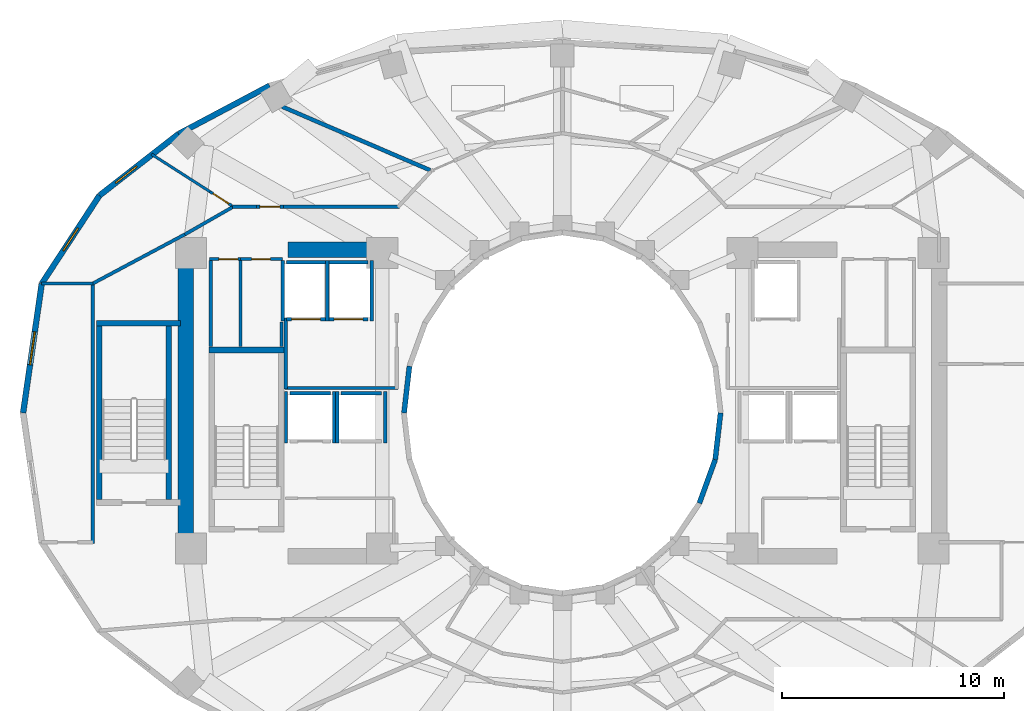
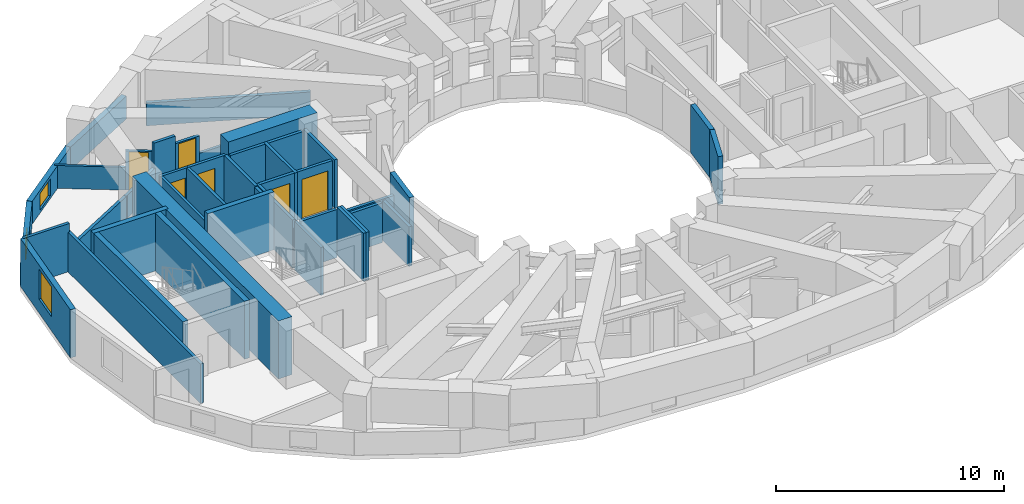
# One storey, part 4 of 9: 43 walls, 6 doors, 3 windows, 9 openings.
"""IFC4 building model written with IfcOpenShell, lengths in metres."""

from ifc_helpers import new_model, si_unit, direction, frame, frame_2d, origin, place, context, subcontext, project, spatial, rectangle, extrude, material, layer, layer_set, type_object, element, fill, save


model = new_model("IFC4")

# Units and contexts
model_context = context("Model", 3, precision=1e-05, world=origin(), true_north=direction((0.0, 1.0)))
body_context = subcontext(model_context, "Body", "Model", "MODEL_VIEW")
ifc_project = project(units=[si_unit("LENGTHUNIT", "METRE"), si_unit("AREAUNIT", "SQUARE_METRE"), si_unit("VOLUMEUNIT", "CUBIC_METRE"), si_unit("PLANEANGLEUNIT", "RADIAN"), si_unit("MASSUNIT", "GRAM", prefix="KILO")], contexts=[model_context])

# Site, building, storey
site_placement = place(None, origin())
site = spatial("IfcSite", under=ifc_project, at=site_placement, CompositionType="ELEMENT")
building_placement = place(site_placement, origin())
building = spatial("IfcBuilding", under=site, at=building_placement, Name="Solvane Sanctuary Tower", CompositionType="ELEMENT")
storey_placement = place(building_placement, frame((0.0, 0.0, 125.89990234375)))
storey = spatial("IfcBuildingStorey", under=building, at=storey_placement, Name="L38", CompositionType="ELEMENT", Elevation=125.89990234375)

# Walls
ifc_material_1 = material(Name="Concrete C60/75", Category="concrete")
ifc_layer_1 = layer(ifc_material_1, 0.699951171875, Name="Concrete C60/75")
ifc_layer_set_1 = layer_set([ifc_layer_1], Name="Concrete C60/75")
wall_type_1 = type_object("IfcWallType", Name="Wall W-CORE-700", PredefinedType="SHEAR", material=ifc_layer_set_1)
wall_1_placement = place(storey_placement, frame((15.050048828125, 17.050048828125, 0.0), z_axis=(0.0, 0.0, 1.0), x_axis=(0.0, 1.0, 0.0)))
element("IfcWall", 1, at=wall_1_placement, inside=storey, type_object=wall_type_1, Name="L38 Core Shear Wall WC-W", PredefinedType="SHEAR", context=body_context, shape_type="SweptSolid", body=[
    extrude(rectangle(XDim=12.800048828125, YDim=0.699951171875, at=frame_2d((6.39990234375, 0.0))), origin(), (0.0, 0.0, 1.0), 3.10009765625),
])
wall_2_placement = place(storey_placement, frame((19.64990234375, 30.35009765625, 0.0), z_axis=(0.0, 0.0, 1.0), x_axis=(1.0, 0.0, 0.0)))
element("IfcWall", 2, at=wall_2_placement, inside=storey, type_object=wall_type_1, Name="L38 Core Shear Wall WC-N", PredefinedType="SHEAR", context=body_context, shape_type="SweptSolid", body=[
    extrude(rectangle(XDim=4.5, YDim=0.699951171875, at=frame_2d((2.25, 0.0))), origin(), (0.0, 0.0, 1.0), 3.10009765625),
])
ifc_material_2 = material(Name="Acoustic Gypsum Partition Board")
ifc_layer_2 = layer(ifc_material_2, 0.14990234375, Name="Acoustic Gypsum Partition Board")
ifc_layer_set_2 = layer_set([ifc_layer_2], Name="Acoustic Gypsum Partition Board")
wall_type_2 = type_object("IfcWallType", Name="Wall W-CORR-150", PredefinedType="PARTITIONING", material=ifc_layer_set_2)
wall_3_placement = place(storey_placement, frame((19.52001953125, 24.1201171875, 0.0), z_axis=(0.0, 0.0, 1.0), x_axis=(1.0, 0.0, 0.0)))
element("IfcWall", 3, at=wall_3_placement, inside=storey, type_object=wall_type_2, Name="L38 West Firefighting Lobby South Wall", PredefinedType="PARTITIONING", context=body_context, shape_type="SweptSolid", body=[
    extrude(rectangle(XDim=5.080078125, YDim=0.14990234375, at=frame_2d((2.5400390625, 0.0))), origin(), (0.0, 0.0, 1.0), 2.1201171875),
])
wall_4_placement = place(storey_placement, frame((19.550048828125, 24.080078125, 0.0), z_axis=(0.0, 0.0, 1.0), x_axis=(0.0, 1.0, 0.0)))
element("IfcWall", 4, at=wall_4_placement, inside=storey, type_object=wall_type_2, Name="L38 West Firefighting Lobby West Wall", PredefinedType="PARTITIONING", context=body_context, shape_type="SweptSolid", body=[
    extrude(rectangle(XDim=3.199951171875, YDim=0.14990234375, at=frame_2d((1.60009765625, 0.0))), origin(), (0.0, 0.0, 1.0), 2.5751953125),
])
wall_5_placement = place(storey_placement, frame((10.8798828125, 17.134765625, 0.0), z_axis=(0.0, 0.0, 1.0), x_axis=(0.0, 1.0, 0.0)))
element("IfcWall", 5, at=wall_5_placement, inside=storey, type_object=wall_type_2, Name="L38 West Shoulder Back Wall", PredefinedType="PARTITIONING", context=body_context, shape_type="SweptSolid", body=[
    extrude(rectangle(XDim=11.73046875, YDim=0.14990234375, at=frame_2d((5.865234375, 0.0))), origin(), (0.0, 0.0, 1.0), 2.1201171875),
])
wall_6_placement = place(storey_placement, frame((8.558349609375, 28.8251953125, 0.0), z_axis=(0.0, 0.0, 1.0), x_axis=(1.0, 0.0, 0.0)))
element("IfcWall", 6, at=wall_6_placement, inside=storey, type_object=wall_type_2, Name="L38 West Shoulder North Wall", PredefinedType="PARTITIONING", context=body_context, shape_type="SweptSolid", body=[
    extrude(rectangle(XDim=2.321533203125, YDim=0.14990234375, at=frame_2d((1.16064453125, 0.0))), origin(), (0.0, 0.0, 1.0), 2.5751953125),
])
wall_7_placement = place(storey_placement, frame((10.8447265625, 28.806396484375, 0.0), z_axis=(0.0, 0.0, 1.0), x_axis=(0.88227840565, 0.470727962759, 0.0)))
element("IfcWall", 7, at=wall_7_placement, inside=storey, type_object=wall_type_2, Name="L38 NW Corner Closer 1", PredefinedType="PARTITIONING", context=body_context, shape_type="SweptSolid", body=[
    extrude(rectangle(XDim=4.806396484375, YDim=0.14990234375, at=frame_2d((2.4033203125, 0.0))), origin(), (0.0, 0.0, 1.0), 1.22021484375),
])
wall_8_placement = place(storey_placement, frame((17.14990234375, 32.280029296875, 0.0), z_axis=(0.0, 0.0, 1.0), x_axis=(1.0, 0.0, 0.0)))
element("IfcWall", 8, at=wall_8_placement, inside=storey, type_object=wall_type_2, Name="L38 NW Corner Corridor Wall", PredefinedType="PARTITIONING", context=body_context, shape_type="SweptSolid", body=[
    extrude(rectangle(XDim=1.08251953125, YDim=0.14990234375, at=frame_2d((0.541259765625, 0.0))), origin(), (0.0, 0.0, 1.0), 2.5751953125),
])

# Wall, opening, door
wall_9_placement = place(storey_placement, frame((18.232421875, 32.280029296875, 0.0), z_axis=(0.0, 0.0, 1.0), x_axis=(1.0, 0.0, 0.0)))
wall_9 = element("IfcWall", 9, at=wall_9_placement, inside=storey, type_object=wall_type_2, Name="L38 NW Corner Corridor Wall", PredefinedType="PARTITIONING", context=body_context, shape_type="SweptSolid", body=[
    extrude(rectangle(XDim=1.219970703125, YDim=0.14990234375, at=frame_2d((0.60986328125, 0.0))), origin(), (0.0, 0.0, 1.0), 2.16015625),
])
opening_1_placement = place(wall_9_placement, frame((0.159912109375, 0.0, 0.0)))
opening_1 = element("IfcOpeningElement", 10, at=opening_1_placement, cuts=wall_9, Name="Opening D-L38-18", PredefinedType="OPENING", context=body_context, shape_type="SweptSolid", body=[
    extrude(rectangle(XDim=0.89990234375, YDim=2.10009765625, at=frame_2d((0.449951171875, 1.050048828125))), frame((0.0, 0.0849609375, 0.0), z_axis=(0.0, -1.0, 0.0), x_axis=(1.0, 0.0, 0.0)), (0.0, 0.0, 1.0), 0.169921875),
])
ifc_material_3 = material(Name="Engineered Tropical Hardwood", Category="wood")
door_type_1 = type_object("IfcDoorType", Name="Door D-WET-900", OperationType="NOTDEFINED", PredefinedType="DOOR", material=ifc_material_3)
door_1_placement = place(opening_1_placement, origin())
door_1 = element("IfcDoor", 11, at=door_1_placement, inside=storey, type_object=door_type_1, Name="L38 NW Corner Salon Door", OperationType="SINGLE_SWING_RIGHT", OverallHeight=2.10009765625, OverallWidth=0.89990234375, PredefinedType="DOOR", context=body_context, shape_type="SweptSolid", body=[
    extrude(rectangle(XDim=0.89990234375, YDim=2.10009765625, at=frame_2d((0.449951171875, 1.050048828125))), frame((0.0, 0.02490234375, 0.0), z_axis=(0.0, -1.0, 0.0), x_axis=(1.0, 0.0, 0.0)), (0.0, 0.0, 1.0), 0.050048828125),
])
fill(opening_1, door_1)

# Walls
wall_10_placement = place(storey_placement, frame((19.452392578125, 32.280029296875, 0.0), z_axis=(0.0, 0.0, 1.0), x_axis=(1.0, 0.0, 0.0)))
element("IfcWall", 12, at=wall_10_placement, inside=storey, type_object=wall_type_2, Name="L38 NW Corner Corridor Wall", PredefinedType="PARTITIONING", context=body_context, shape_type="SweptSolid", body=[
    extrude(rectangle(XDim=5.217529296875, YDim=0.14990234375, at=frame_2d((2.60888671875, 0.0))), origin(), (0.0, 0.0, 1.0), 1.22021484375),
])
wall_11_placement = place(storey_placement, frame((17.243408203125, 32.3046875, 0.0), z_axis=(0.0, 0.0, 1.0), x_axis=(-0.867991349648, -0.496579315857, 0.0)))
element("IfcWall", 13, at=wall_11_placement, inside=storey, type_object=wall_type_2, Name="L38 NW Corner Wing Wall", PredefinedType="PARTITIONING", context=body_context, shape_type="SweptSolid", body=[
    extrude(rectangle(XDim=2.56689453125, YDim=0.14990234375, at=frame_2d((1.283447265625, 0.0))), origin(), (0.0, 0.0, 1.0), 1.22021484375),
])
ifc_material_4 = material(Name="Precast concrete C40/50", Category="concrete")
ifc_layer_3 = layer(ifc_material_4, 0.260009765625, Name="Precast concrete C40/50")
ifc_layer_set_3 = layer_set([ifc_layer_3], Name="Precast concrete C40/50")
wall_type_3 = type_object("IfcWallType", Name="Wall W-EXT-250", PredefinedType="STANDARD", material=ifc_layer_set_3)
wall_12_placement = place(storey_placement, frame((18.82666015625, 37.72119140625, 0.0), z_axis=(0.0, 0.0, 1.0), x_axis=(-0.883668636807, -0.4681129568, 0.0)))
element("IfcWall", 14, at=wall_12_placement, inside=storey, type_object=wall_type_3, Name="L38 Ceramic-Printed Facade Wall 08", PredefinedType="STANDARD", context=body_context, shape_type="SweptSolid", body=[
    extrude(rectangle(XDim=4.63134765625, YDim=0.260009765625, at=frame_2d((2.315673828125, 0.0))), origin(), (0.0, 0.0, 1.0), 1.22021484375),
])

# Wall, opening, window
wall_13_placement = place(storey_placement, frame((14.734130859375, 35.55322265625, 0.0), z_axis=(0.0, 0.0, 1.0), x_axis=(-0.789127449954, -0.614229491094, 0.0)))
wall_13 = element("IfcWall", 15, at=wall_13_placement, inside=storey, type_object=wall_type_3, Name="L38 Ceramic-Printed Facade Wall 09", PredefinedType="STANDARD", context=body_context, shape_type="SweptSolid", body=[
    extrude(rectangle(XDim=4.504638671875, YDim=0.260009765625, at=frame_2d((2.25244140625, 0.0))), origin(), (0.0, 0.0, 1.0), 1.22021484375),
])
opening_2_placement = place(wall_13_placement, frame((2.383056640625, 0.0, 0.14990234375)))
opening_2 = element("IfcOpeningElement", 16, at=opening_2_placement, cuts=wall_13, Name="Opening WN-OPER-1200", PredefinedType="OPENING", context=body_context, shape_type="SweptSolid", body=[
    extrude(rectangle(XDim=1.199951171875, YDim=0.89990234375, at=frame_2d((0.60009765625, 0.449951171875))), frame((0.0, 0.139892578125, 0.0), z_axis=(0.0, -1.0, 0.0), x_axis=(1.0, 0.0, 0.0)), (0.0, 0.0, 1.0), 0.280029296875),
])
ifc_material_5 = material(Name="Dark Ceramic-Fritted Low-E Glass", Category="glass")
window_type_1 = type_object("IfcWindowType", Name="Window WN-OPER-1200", PartitioningType="SINGLE_PANEL", PredefinedType="WINDOW", material=ifc_material_5)
window_1_placement = place(opening_2_placement, origin())
window_1 = element("IfcWindow", 17, at=window_1_placement, inside=storey, type_object=window_type_1, Name="L38 Operable Facade Window 09", OverallHeight=0.89990234375, OverallWidth=1.199951171875, PartitioningType="SINGLE_PANEL", PredefinedType="WINDOW", context=body_context, shape_type="SweptSolid", body=[
    extrude(rectangle(XDim=1.199951171875, YDim=0.89990234375, at=frame_2d((0.60009765625, 0.449951171875))), frame((0.0, 0.030029296875, 0.0), z_axis=(0.0, -1.0, 0.0), x_axis=(1.0, 0.0, 0.0)), (0.0, 0.0, 1.0), 0.06005859375),
])
fill(opening_2, window_1)

wall_14_placement = place(storey_placement, frame((11.179443359375, 32.786376953125, 0.0), z_axis=(0.0, 0.0, 1.0), x_axis=(-0.548283220945, -0.836292717672, 0.0)))
wall_14 = element("IfcWall", 18, at=wall_14_placement, inside=storey, type_object=wall_type_3, Name="L38 Ceramic-Printed Facade Wall 10", PredefinedType="STANDARD", context=body_context, shape_type="SweptSolid", body=[
    extrude(rectangle(XDim=4.744384765625, YDim=0.260009765625, at=frame_2d((2.3720703125, 0.0))), origin(), (0.0, 0.0, 1.0), 1.22021484375),
])
opening_3_placement = place(wall_14_placement, frame((1.772216796875, 0.0, 0.14990234375)))
opening_3 = element("IfcOpeningElement", 19, at=opening_3_placement, cuts=wall_14, Name="Opening WN-OPER-1200", PredefinedType="OPENING", context=body_context, shape_type="SweptSolid", body=[
    extrude(rectangle(XDim=1.199951171875, YDim=0.89990234375, at=frame_2d((0.60009765625, 0.449951171875))), frame((0.0, 0.139892578125, 0.0), z_axis=(0.0, -1.0, 0.0), x_axis=(1.0, 0.0, 0.0)), (0.0, 0.0, 1.0), 0.280029296875),
])
window_2_placement = place(opening_3_placement, origin())
window_2 = element("IfcWindow", 20, at=window_2_placement, inside=storey, type_object=window_type_1, Name="L38 Operable Facade Window 10", OverallHeight=0.89990234375, OverallWidth=1.199951171875, PartitioningType="SINGLE_PANEL", PredefinedType="WINDOW", context=body_context, shape_type="SweptSolid", body=[
    extrude(rectangle(XDim=1.199951171875, YDim=0.89990234375, at=frame_2d((0.60009765625, 0.449951171875))), frame((0.0, 0.030029296875, 0.0), z_axis=(0.0, -1.0, 0.0), x_axis=(1.0, 0.0, 0.0)), (0.0, 0.0, 1.0), 0.06005859375),
])
fill(opening_3, window_2)

wall_15_placement = place(storey_placement, frame((8.578125, 28.818603515625, 0.0), z_axis=(0.0, 0.0, 1.0), x_axis=(-0.142572472068, -0.98978436551, 0.0)))
wall_15 = element("IfcWall", 21, at=wall_15_placement, inside=storey, type_object=wall_type_3, Name="L38 Ceramic-Printed Facade Wall 11", PredefinedType="STANDARD", context=body_context, shape_type="SweptSolid", body=[
    extrude(rectangle(XDim=5.878662109375, YDim=0.260009765625, at=frame_2d((2.939453125, 0.0))), origin(), (0.0, 0.0, 1.0), 2.570068359375),
])
opening_4_placement = place(wall_15_placement, frame((2.189453125, 0.0, 0.75)))
opening_4 = element("IfcOpeningElement", 22, at=opening_4_placement, cuts=wall_15, Name="Opening WN-OPER-1500", PredefinedType="OPENING", context=body_context, shape_type="SweptSolid", body=[
    extrude(rectangle(XDim=1.5, YDim=1.60009765625, at=frame_2d((0.75, 0.800048828125))), frame((0.0, 0.139892578125, 0.0), z_axis=(0.0, -1.0, 0.0), x_axis=(1.0, 0.0, 0.0)), (0.0, 0.0, 1.0), 0.280029296875),
])
window_type_2 = type_object("IfcWindowType", Name="Window WN-OPER-1500", PartitioningType="SINGLE_PANEL", PredefinedType="WINDOW", material=ifc_material_5)
window_3_placement = place(opening_4_placement, origin())
window_3 = element("IfcWindow", 23, at=window_3_placement, inside=storey, type_object=window_type_2, Name="L38 Operable Facade Window 11", OverallHeight=1.60009765625, OverallWidth=1.5, PartitioningType="SINGLE_PANEL", PredefinedType="WINDOW", context=body_context, shape_type="SweptSolid", body=[
    extrude(rectangle(XDim=1.5, YDim=1.60009765625, at=frame_2d((0.75, 0.800048828125))), frame((0.0, 0.030029296875, 0.0), z_axis=(0.0, -1.0, 0.0), x_axis=(1.0, 0.0, 0.0)), (0.0, 0.0, 1.0), 0.06005859375),
])
fill(opening_4, window_3)

# Walls
ifc_layer_4 = layer(ifc_material_4, 0.22998046875, Name="Precast concrete C40/50")
ifc_layer_set_4 = layer_set([ifc_layer_4], Name="Precast concrete C40/50")
wall_type_4 = type_object("IfcWallType", Name="Wall W-EXT-SP220", PredefinedType="STANDARD", material=ifc_layer_set_4)
wall_16_placement = place(storey_placement, frame((25.12255859375, 25.1015625, 0.0), z_axis=(0.0, 0.0, 1.0), x_axis=(-0.114711713601, -0.993398823617, 0.0)))
element("IfcWall", 24, at=wall_16_placement, inside=storey, type_object=wall_type_4, Name="L38 Central Light-Well Wall 11", PredefinedType="STANDARD", context=body_context, shape_type="SweptSolid", body=[
    extrude(rectangle(XDim=2.115478515625, YDim=0.22998046875, at=frame_2d((1.0576171875, 0.0))), origin(), (0.0, 0.0, 1.0), 2.56005859375),
])
wall_17_placement = place(storey_placement, frame((38.166015625, 18.93994140625, 0.0), z_axis=(0.0, 0.0, 1.0), x_axis=(0.341423187295, 0.93990968033, 0.0)))
element("IfcWall", 25, at=wall_17_placement, inside=storey, type_object=wall_type_4, Name="L38 Central Light-Well Wall 22", PredefinedType="STANDARD", context=body_context, shape_type="SweptSolid", body=[
    extrude(rectangle(XDim=2.083740234375, YDim=0.22998046875, at=frame_2d((1.0419921875, 0.0))), origin(), (0.0, 0.0, 1.0), 2.56005859375),
])
wall_18_placement = place(storey_placement, frame((38.87744140625, 20.8984375, 0.0), z_axis=(0.0, 0.0, 1.0), x_axis=(0.114711713601, 0.993398823617, 0.0)))
element("IfcWall", 26, at=wall_18_placement, inside=storey, type_object=wall_type_4, Name="L38 Central Light-Well Wall 23", PredefinedType="STANDARD", context=body_context, shape_type="SweptSolid", body=[
    extrude(rectangle(XDim=2.115478515625, YDim=0.22998046875, at=frame_2d((1.0576171875, 0.0))), origin(), (0.0, 0.0, 1.0), 2.56005859375),
])

# Wall, opening, door
ifc_layer_5 = layer(ifc_material_2, 0.1201171875, Name="Acoustic Gypsum Partition Board")
ifc_layer_set_5 = layer_set([ifc_layer_5], Name="Acoustic Gypsum Partition Board")
wall_type_5 = type_object("IfcWallType", Name="Wall W-MOV-100", PredefinedType="MOVABLE", material=ifc_layer_set_5)
wall_19_placement = place(storey_placement, frame((17.128173828125, 32.325927734375, 0.0), z_axis=(0.0, 0.0, 1.0), x_axis=(-0.841774593721, 0.53982917054, 0.0)))
wall_19 = element("IfcWall", 27, at=wall_19_placement, inside=storey, type_object=wall_type_5, Name="L38 NW Corner Suite Partition", PredefinedType="MOVABLE", context=body_context, shape_type="SweptSolid", body=[
    extrude(rectangle(XDim=1.169921875, YDim=0.1201171875, at=frame_2d((0.5849609375, 0.0))), origin(), (0.0, 0.0, 1.0), 2.110107421875),
])
opening_5_placement = place(wall_19_placement, frame((0.159912109375, 0.0, 0.0)))
opening_5 = element("IfcOpeningElement", 28, at=opening_5_placement, cuts=wall_19, Name="Opening D-L38-17", PredefinedType="OPENING", context=body_context, shape_type="SweptSolid", body=[
    extrude(rectangle(XDim=0.85009765625, YDim=2.050048828125, at=frame_2d((0.425048828125, 1.02490234375))), frame((0.0, 0.070068359375, 0.0), z_axis=(0.0, -1.0, 0.0), x_axis=(1.0, 0.0, 0.0)), (0.0, 0.0, 1.0), 0.14013671875),
])
ifc_material_6 = material(Name="Architectural Stainless Steel 316", Category="steel")
door_type_2 = type_object("IfcDoorType", Name="Door D-RISER", OperationType="NOTDEFINED", PredefinedType="DOOR", material=ifc_material_6)
door_2_placement = place(opening_5_placement, origin())
door_2 = element("IfcDoor", 29, at=door_2_placement, inside=storey, type_object=door_type_2, Name="L38 NW Corner Suite Door", OperationType="SINGLE_SWING_LEFT", OverallHeight=2.050048828125, OverallWidth=0.85009765625, PredefinedType="DOOR", context=body_context, shape_type="SweptSolid", body=[
    extrude(rectangle(XDim=0.85009765625, YDim=2.050048828125, at=frame_2d((0.425048828125, 1.02490234375))), frame((0.0, 0.02490234375, 0.0), z_axis=(0.0, -1.0, 0.0), x_axis=(1.0, 0.0, 0.0)), (0.0, 0.0, 1.0), 0.050048828125),
])
fill(opening_5, door_2)

# Walls
wall_20_placement = place(storey_placement, frame((16.143310546875, 32.95751953125, 0.0), z_axis=(0.0, 0.0, 1.0), x_axis=(-0.841931160388, 0.539584952689, 0.0)))
element("IfcWall", 30, at=wall_20_placement, inside=storey, type_object=wall_type_5, Name="L38 NW Corner Suite Partition", PredefinedType="MOVABLE", context=body_context, shape_type="SweptSolid", body=[
    extrude(rectangle(XDim=3.1162109375, YDim=0.1201171875, at=frame_2d((1.55810546875, 0.0))), origin(), (0.0, 0.0, 1.0), 1.22021484375),
])
ifc_material_7 = material(Name="Concrete C50/60", Category="concrete")
ifc_layer_6 = layer(ifc_material_7, 0.14990234375, Name="Concrete C50/60")
ifc_layer_set_6 = layer_set([ifc_layer_6], Name="Concrete C50/60")
wall_type_6 = type_object("IfcWallType", Name="Wall W-SHAFT-150", PredefinedType="SOLIDWALL", material=ifc_layer_set_6)
wall_21_placement = place(storey_placement, frame((19.739990234375, 23.8798828125, 0.0), z_axis=(0.0, 0.0, 1.0), x_axis=(1.0, 0.0, 0.0)))
element("IfcWall", 31, at=wall_21_placement, inside=storey, type_object=wall_type_6, Name="L38 PM-1 Lift Shaft Wall B", PredefinedType="SOLIDWALL", context=body_context, shape_type="SweptSolid", body=[
    extrude(rectangle(XDim=1.820068359375, YDim=0.14990234375, at=frame_2d((0.91015625, 0.0))), origin(), (0.0, 0.0, 1.0), 2.5751953125),
])
for number, where, z_axis, x_axis, name in (
    (32, (19.570068359375, 21.639892578125, 0.0), (0.0, 0.0, 1.0), (0.0, 1.0, 0.0), "L38 PM-1 Lift Shaft Wall S1"),
    (33, (21.72998046875, 21.639892578125, 0.0), (0.0, 0.0, 1.0), (0.0, 1.0, 0.0), "L38 PM-1 Lift Shaft Wall S2"),
):
    element("IfcWall", number, at=place(storey_placement, frame(where, z_axis=z_axis, x_axis=x_axis)), inside=storey, type_object=wall_type_6, Name=name, PredefinedType="SOLIDWALL", context=body_context, shape_type="SweptSolid", body=[
        extrude(rectangle(XDim=2.320068359375, YDim=0.14990234375, at=frame_2d((1.16015625, 0.0))), origin(), (0.0, 0.0, 1.0), 2.5751953125),
    ])
wall_22_placement = place(storey_placement, frame((22.0400390625, 23.8798828125, 0.0), z_axis=(0.0, 0.0, 1.0), x_axis=(1.0, 0.0, 0.0)))
element("IfcWall", 34, at=wall_22_placement, inside=storey, type_object=wall_type_6, Name="L38 PH-1 Lift Shaft Wall B", PredefinedType="SOLIDWALL", context=body_context, shape_type="SweptSolid", body=[
    extrude(rectangle(XDim=1.820068359375, YDim=0.14990234375, at=frame_2d((0.91015625, 0.0))), origin(), (0.0, 0.0, 1.0), 2.1201171875),
])
wall_23_placement = place(storey_placement, frame((21.8701171875, 21.639892578125, 0.0), z_axis=(0.0, 0.0, 1.0), x_axis=(0.0, 1.0, 0.0)))
element("IfcWall", 35, at=wall_23_placement, inside=storey, type_object=wall_type_6, Name="L38 PH-1 Lift Shaft Wall S1", PredefinedType="SOLIDWALL", context=body_context, shape_type="SweptSolid", body=[
    extrude(rectangle(XDim=2.320068359375, YDim=0.14990234375, at=frame_2d((1.16015625, 0.0))), origin(), (0.0, 0.0, 1.0), 2.5751953125),
])
wall_24_placement = place(storey_placement, frame((24.030029296875, 21.639892578125, 0.0), z_axis=(0.0, 0.0, 1.0), x_axis=(0.0, 1.0, 0.0)))
element("IfcWall", 36, at=wall_24_placement, inside=storey, type_object=wall_type_6, Name="L38 PH-1 Lift Shaft Wall S2", PredefinedType="SOLIDWALL", context=body_context, shape_type="SweptSolid", body=[
    extrude(rectangle(XDim=2.320068359375, YDim=0.14990234375, at=frame_2d((1.16015625, 0.0))), origin(), (0.0, 0.0, 1.0), 2.1201171875),
])

# Wall, opening, door
wall_25_placement = place(storey_placement, frame((19.590087890625, 27.219970703125, 0.0), z_axis=(0.0, 0.0, 1.0), x_axis=(1.0, 0.0, 0.0)))
wall_25 = element("IfcWall", 37, at=wall_25_placement, inside=storey, type_object=wall_type_6, Name="L38 FFL-1 Lift Shaft Wall F", PredefinedType="SOLIDWALL", context=body_context, shape_type="SweptSolid", body=[
    extrude(rectangle(XDim=1.760009765625, YDim=0.14990234375, at=frame_2d((0.8798828125, 0.0))), origin(), (0.0, 0.0, 1.0), 2.5751953125),
])
opening_6_placement = place(wall_25_placement, frame((0.22998046875, 0.0, 0.0)))
opening_6 = element("IfcOpeningElement", 38, at=opening_6_placement, cuts=wall_25, Name="Opening LD-L38-03", PredefinedType="OPENING", context=body_context, shape_type="SweptSolid", body=[
    extrude(rectangle(XDim=1.300048828125, YDim=2.10009765625, at=frame_2d((0.64990234375, 1.050048828125))), frame((0.0, 0.0849609375, 0.0), z_axis=(0.0, -1.0, 0.0), x_axis=(1.0, 0.0, 0.0)), (0.0, 0.0, 1.0), 0.169921875),
])
door_type_3 = type_object("IfcDoorType", Name="Door LD-FFL-1300", OperationType="NOTDEFINED", PredefinedType="DOOR", material=ifc_material_6)
door_3_placement = place(opening_6_placement, origin())
door_3 = element("IfcDoor", 39, at=door_3_placement, inside=storey, type_object=door_type_3, Name="L38 FFL-1 Lift Landing Door", OperationType="DOUBLE_DOOR_SLIDING", OverallHeight=2.10009765625, OverallWidth=1.300048828125, PredefinedType="DOOR", context=body_context, shape_type="SweptSolid", body=[
    extrude(rectangle(XDim=1.300048828125, YDim=2.10009765625, at=frame_2d((0.64990234375, 1.050048828125))), frame((0.0, 0.02490234375, 0.0), z_axis=(0.0, -1.0, 0.0), x_axis=(1.0, 0.0, 0.0)), (0.0, 0.0, 1.0), 0.050048828125),
])
fill(opening_6, door_3)

# Walls
wall_26_placement = place(storey_placement, frame((19.590087890625, 29.780029296875, 0.0), z_axis=(0.0, 0.0, 1.0), x_axis=(1.0, 0.0, 0.0)))
element("IfcWall", 40, at=wall_26_placement, inside=storey, type_object=wall_type_6, Name="L38 FFL-1 Lift Shaft Wall B", PredefinedType="SOLIDWALL", context=body_context, shape_type="SweptSolid", body=[
    extrude(rectangle(XDim=1.760009765625, YDim=0.14990234375, at=frame_2d((0.8798828125, 0.0))), origin(), (0.0, 0.0, 1.0), 2.5751953125),
])
for number, where, z_axis, x_axis, name in (
    (41, (19.419921875, 27.139892578125, 0.0), (0.0, 0.0, 1.0), (0.0, 1.0, 0.0), "L38 FFL-1 Lift Shaft Wall S1"),
    (42, (21.425048828125, 27.139892578125, 0.0), (0.0, 0.0, 1.0), (0.0, 1.0, 0.0), "L38 FFL-1 Lift Shaft Wall S2"),
):
    element("IfcWall", number, at=place(storey_placement, frame(where, z_axis=z_axis, x_axis=x_axis)), inside=storey, type_object=wall_type_6, Name=name, PredefinedType="SOLIDWALL", context=body_context, shape_type="SweptSolid", body=[
        extrude(rectangle(XDim=2.72021484375, YDim=0.14990234375, at=frame_2d((1.360107421875, 0.0))), origin(), (0.0, 0.0, 1.0), 2.5751953125),
    ])

# Wall, opening, door
wall_27_placement = place(storey_placement, frame((21.5, 27.219970703125, 0.0), z_axis=(0.0, 0.0, 1.0), x_axis=(1.0, 0.0, 0.0)))
wall_27 = element("IfcWall", 43, at=wall_27_placement, inside=storey, type_object=wall_type_6, Name="L38 SVL-1 Lift Shaft Wall F", PredefinedType="SOLIDWALL", context=body_context, shape_type="SweptSolid", body=[
    extrude(rectangle(XDim=1.760009765625, YDim=0.14990234375, at=frame_2d((0.8798828125, 0.0))), origin(), (0.0, 0.0, 1.0), 2.5751953125),
])
opening_7_placement = place(wall_27_placement, frame((0.22998046875, 0.0, 0.0)))
opening_7 = element("IfcOpeningElement", 44, at=opening_7_placement, cuts=wall_27, Name="Opening LD-L38-04", PredefinedType="OPENING", context=body_context, shape_type="SweptSolid", body=[
    extrude(rectangle(XDim=1.300048828125, YDim=2.10009765625, at=frame_2d((0.64990234375, 1.050048828125))), frame((0.0, 0.0849609375, 0.0), z_axis=(0.0, -1.0, 0.0), x_axis=(1.0, 0.0, 0.0)), (0.0, 0.0, 1.0), 0.169921875),
])
door_4_placement = place(opening_7_placement, origin())
door_4 = element("IfcDoor", 45, at=door_4_placement, inside=storey, type_object=door_type_3, Name="L38 SVL-1 Lift Landing Door", OperationType="DOUBLE_DOOR_SLIDING", OverallHeight=2.10009765625, OverallWidth=1.300048828125, PredefinedType="DOOR", context=body_context, shape_type="SweptSolid", body=[
    extrude(rectangle(XDim=1.300048828125, YDim=2.10009765625, at=frame_2d((0.64990234375, 1.050048828125))), frame((0.0, 0.02490234375, 0.0), z_axis=(0.0, -1.0, 0.0), x_axis=(1.0, 0.0, 0.0)), (0.0, 0.0, 1.0), 0.050048828125),
])
fill(opening_7, door_4)

# Walls
wall_28_placement = place(storey_placement, frame((21.5, 29.780029296875, 0.0), z_axis=(0.0, 0.0, 1.0), x_axis=(1.0, 0.0, 0.0)))
element("IfcWall", 46, at=wall_28_placement, inside=storey, type_object=wall_type_6, Name="L38 SVL-1 Lift Shaft Wall B", PredefinedType="SOLIDWALL", context=body_context, shape_type="SweptSolid", body=[
    extrude(rectangle(XDim=1.760009765625, YDim=0.14990234375, at=frame_2d((0.8798828125, 0.0))), origin(), (0.0, 0.0, 1.0), 2.5751953125),
])
wall_29_placement = place(storey_placement, frame((23.429931640625, 27.139892578125, 0.0), z_axis=(0.0, 0.0, 1.0), x_axis=(0.0, 1.0, 0.0)))
element("IfcWall", 47, at=wall_29_placement, inside=storey, type_object=wall_type_6, Name="L38 SVL-1 Lift Shaft Wall S2", PredefinedType="SOLIDWALL", context=body_context, shape_type="SweptSolid", body=[
    extrude(rectangle(XDim=2.72021484375, YDim=0.14990234375, at=frame_2d((1.360107421875, 0.0))), origin(), (0.0, 0.0, 1.0), 2.5751953125),
])
ifc_layer_7 = layer(ifc_material_7, 0.25, Name="Concrete C50/60")
ifc_layer_set_7 = layer_set([ifc_layer_7], Name="Concrete C50/60")
wall_type_7 = type_object("IfcWallType", Name="Wall W-SHAFT-250", PredefinedType="SOLIDWALL", material=ifc_layer_set_7)
wall_30_placement = place(storey_placement, frame((16.10498046875, 25.830078125, 0.0), z_axis=(0.0, 0.0, 1.0), x_axis=(1.0, 0.0, 0.0)))
element("IfcWall", 48, at=wall_30_placement, inside=storey, type_object=wall_type_7, Name="L38 ST-1 Load-Bearing Shaft Wall N", PredefinedType="SOLIDWALL", context=body_context, shape_type="SweptSolid", body=[
    extrude(rectangle(XDim=3.3701171875, YDim=0.25, at=frame_2d((1.68505859375, 0.0))), origin(), (0.0, 0.0, 1.0), 3.10009765625),
])
wall_31_placement = place(storey_placement, frame((11.044921875, 27.030029296875, 0.0), z_axis=(0.0, 0.0, 1.0), x_axis=(1.0, 0.0, 0.0)))
element("IfcWall", 49, at=wall_31_placement, inside=storey, type_object=wall_type_7, Name="L38 ST-3 Load-Bearing Shaft Wall N", PredefinedType="SOLIDWALL", context=body_context, shape_type="SweptSolid", body=[
    extrude(rectangle(XDim=3.781982421875, YDim=0.25, at=frame_2d((1.89111328125, 0.0))), origin(), (0.0, 0.0, 1.0), 3.10009765625),
])
for number, where, z_axis, x_axis, name in (
    (50, (11.169921875, 19.094970703125, 0.0), (0.0, 0.0, 1.0), (0.0, 1.0, 0.0), "L38 ST-3 Load-Bearing Shaft Wall W"),
    (51, (14.2900390625, 19.094970703125, 0.0), (0.0, 0.0, 1.0), (0.0, 1.0, 0.0), "L38 ST-3 Load-Bearing Shaft Wall E"),
):
    element("IfcWall", number, at=place(storey_placement, frame(where, z_axis=z_axis, x_axis=x_axis)), inside=storey, type_object=wall_type_7, Name=name, PredefinedType="SOLIDWALL", context=body_context, shape_type="SweptSolid", body=[
        extrude(rectangle(XDim=7.81005859375, YDim=0.25, at=frame_2d((3.905029296875, 0.0))), origin(), (0.0, 0.0, 1.0), 3.10009765625),
    ])
ifc_layer_8 = layer(ifc_material_2, 0.179931640625, Name="Acoustic Gypsum Partition Board")
ifc_layer_set_8 = layer_set([ifc_layer_8], Name="Acoustic Gypsum Partition Board")
wall_type_8 = type_object("IfcWallType", Name="Wall W-UNIT-180", PredefinedType="PARTITIONING", material=ifc_layer_set_8)
wall_32_placement = place(storey_placement, frame((26.05859375, 33.91796875, 0.0), z_axis=(0.0, 0.0, 1.0), x_axis=(-0.918836579087, 0.394638240584, 0.0)))
element("IfcWall", 52, at=wall_32_placement, inside=storey, type_object=wall_type_8, Name="L38 Radial Compartment Wall 120", PredefinedType="PARTITIONING", context=body_context, shape_type="SweptSolid", body=[
    extrude(rectangle(XDim=7.2529296875, YDim=0.179931640625, at=frame_2d((3.62646484375, 0.0))), origin(), (0.0, 0.0, 1.0), 1.22021484375),
])

# Wall, opening, door
ifc_layer_9 = layer(ifc_material_2, 0.139892578125, Name="Acoustic Gypsum Partition Board")
ifc_layer_set_9 = layer_set([ifc_layer_9], Name="Acoustic Gypsum Partition Board")
wall_type_9 = type_object("IfcWallType", Name="Wall W-WET-140", PredefinedType="PLUMBINGWALL", material=ifc_layer_set_9)
wall_33_placement = place(storey_placement, frame((16.1201171875, 29.919921875, 0.0), z_axis=(0.0, 0.0, 1.0), x_axis=(1.0, 0.0, 0.0)))
wall_33 = element("IfcWall", 53, at=wall_33_placement, inside=storey, type_object=wall_type_9, Name="L38 Core Service Front Wall KW1", PredefinedType="PLUMBINGWALL", context=body_context, shape_type="SweptSolid", body=[
    extrude(rectangle(XDim=1.39990234375, YDim=0.139892578125, at=frame_2d((0.699951171875, 0.0))), origin(), (0.0, 0.0, 1.0), 2.5751953125),
])
opening_8_placement = place(wall_33_placement, frame((0.429931640625, 0.0, 0.0)))
opening_8 = element("IfcOpeningElement", 54, at=opening_8_placement, cuts=wall_33, Name="Opening D-L38-08", PredefinedType="OPENING", context=body_context, shape_type="SweptSolid", body=[
    extrude(rectangle(XDim=0.85009765625, YDim=2.050048828125, at=frame_2d((0.425048828125, 1.02490234375))), frame((0.0, 0.079833984375, 0.0), z_axis=(0.0, -1.0, 0.0), x_axis=(1.0, 0.0, 0.0)), (0.0, 0.0, 1.0), 0.159912109375),
])
door_5_placement = place(opening_8_placement, origin())
door_5 = element("IfcDoor", 55, at=door_5_placement, inside=storey, type_object=door_type_2, Name="L38 Core Service Room Door KW1-1", OperationType="SINGLE_SWING_RIGHT", OverallHeight=2.050048828125, OverallWidth=0.85009765625, PredefinedType="DOOR", context=body_context, shape_type="SweptSolid", body=[
    extrude(rectangle(XDim=0.85009765625, YDim=2.050048828125, at=frame_2d((0.425048828125, 1.02490234375))), frame((0.0, 0.02490234375, 0.0), z_axis=(0.0, -1.0, 0.0), x_axis=(1.0, 0.0, 0.0)), (0.0, 0.0, 1.0), 0.050048828125),
])
fill(opening_8, door_5)

# Walls
for number, where, z_axis, x_axis, name in (
    (56, (16.179931640625, 25.97998046875, 0.0), (0.0, 0.0, 1.0), (0.0, 1.0, 0.0), "L38 Core Service Side Wall KW1-1"),
    (57, (17.52001953125, 25.97998046875, 0.0), (0.0, 0.0, 1.0), (0.0, 1.0, 0.0), "L38 Core Service Side Wall KW1-2"),
):
    element("IfcWall", number, at=place(storey_placement, frame(where, z_axis=z_axis, x_axis=x_axis)), inside=storey, type_object=wall_type_9, Name=name, PredefinedType="PLUMBINGWALL", context=body_context, shape_type="SweptSolid", body=[
        extrude(rectangle(XDim=3.880126953125, YDim=0.139892578125, at=frame_2d((1.93994140625, 0.0))), origin(), (0.0, 0.0, 1.0), 2.5751953125),
    ])

# Wall, opening, door
wall_34_placement = place(storey_placement, frame((17.52001953125, 29.919921875, 0.0), z_axis=(0.0, 0.0, 1.0), x_axis=(1.0, 0.0, 0.0)))
wall_34 = element("IfcWall", 58, at=wall_34_placement, inside=storey, type_object=wall_type_9, Name="L38 Core Service Front Wall KW2", PredefinedType="PLUMBINGWALL", context=body_context, shape_type="SweptSolid", body=[
    extrude(rectangle(XDim=1.89990234375, YDim=0.139892578125, at=frame_2d((0.949951171875, 0.0))), origin(), (0.0, 0.0, 1.0), 2.5751953125),
])
opening_9_placement = place(wall_34_placement, frame((0.5, 0.0, 0.0)))
opening_9 = element("IfcOpeningElement", 59, at=opening_9_placement, cuts=wall_34, Name="Opening D-L38-09", PredefinedType="OPENING", context=body_context, shape_type="SweptSolid", body=[
    extrude(rectangle(XDim=0.85009765625, YDim=2.050048828125, at=frame_2d((0.425048828125, 1.02490234375))), frame((0.0, 0.079833984375, 0.0), z_axis=(0.0, -1.0, 0.0), x_axis=(1.0, 0.0, 0.0)), (0.0, 0.0, 1.0), 0.159912109375),
])
door_6_placement = place(opening_9_placement, origin())
door_6 = element("IfcDoor", 60, at=door_6_placement, inside=storey, type_object=door_type_2, Name="L38 Core Service Room Door KW2-1", OperationType="SINGLE_SWING_LEFT", OverallHeight=2.050048828125, OverallWidth=0.85009765625, PredefinedType="DOOR", context=body_context, shape_type="SweptSolid", body=[
    extrude(rectangle(XDim=0.85009765625, YDim=2.050048828125, at=frame_2d((0.425048828125, 1.02490234375))), frame((0.0, 0.02490234375, 0.0), z_axis=(0.0, -1.0, 0.0), x_axis=(1.0, 0.0, 0.0)), (0.0, 0.0, 1.0), 0.050048828125),
])
fill(opening_9, door_6)

# Wall
wall_35_placement = place(storey_placement, frame((19.360107421875, 25.97998046875, 0.0), z_axis=(0.0, 0.0, 1.0), x_axis=(0.0, 1.0, 0.0)))
element("IfcWall", 61, at=wall_35_placement, inside=storey, type_object=wall_type_9, Name="L38 Core Service Side Wall KW2-1", PredefinedType="PLUMBINGWALL", context=body_context, shape_type="SweptSolid", body=[
    extrude(rectangle(XDim=1.1201171875, YDim=0.139892578125, at=frame_2d((0.56005859375, 0.0))), origin(), (0.0, 0.0, 1.0), 2.5751953125),
])

save(model, "model.ifc")
